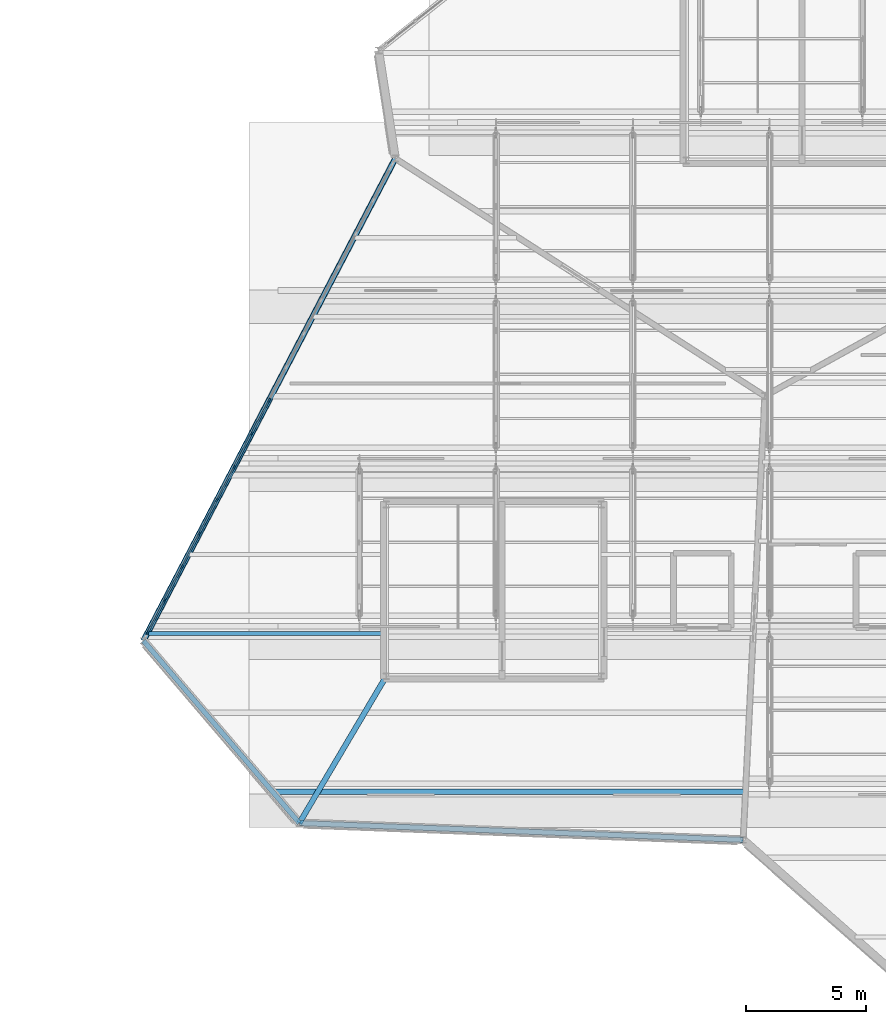
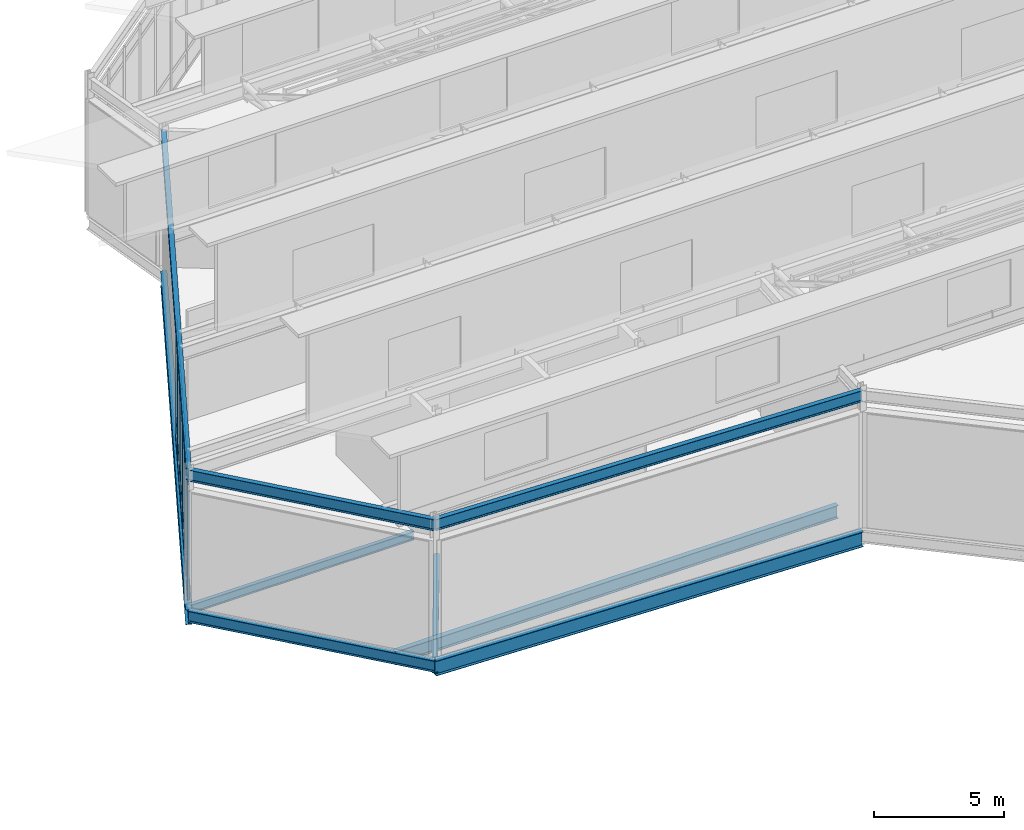
# One storey, part 5 of 55: 36 members, 9 beams, 1 element without a shape of its own.
"""IFC4 building model written with IfcOpenShell, lengths in metres."""

from ifc_helpers import new_model, si_unit, direction, frame, origin, origin_2d, place, context, subcontext, project, spatial, rectangle, i_section, extrude, material, material_profile, profile_set, type_object, element, aggregate, save


model = new_model("IFC4")

# Units and contexts
model_context = context("Model", 3, precision=1e-05, world=origin(), true_north=direction((0.0, 1.0)))
body_context = subcontext(model_context, "Body", "Model", "MODEL_VIEW")
ifc_project = project(units=[si_unit("LENGTHUNIT", "METRE"), si_unit("AREAUNIT", "SQUARE_METRE"), si_unit("VOLUMEUNIT", "CUBIC_METRE"), si_unit("PLANEANGLEUNIT", "RADIAN"), si_unit("MASSUNIT", "GRAM", prefix="KILO")], contexts=[model_context])

# Site, building, storey
site_placement = place(None, origin())
site = spatial("IfcSite", under=ifc_project, at=site_placement, CompositionType="ELEMENT")
building_placement = place(site_placement, origin())
building = spatial("IfcBuilding", under=site, at=building_placement, Name="Tameran Prism Museum", CompositionType="ELEMENT")
storey_placement = place(building_placement, frame((0.0, 0.0, 28.800048828125)))
storey = spatial("IfcBuildingStorey", under=building, at=storey_placement, Name="L05", CompositionType="ELEMENT", Elevation=28.800048828125)

# Beams
ifc_material_1 = material(Name="Steel Grade 300PLUS (300 MPa)", Category="steel")
ifc_material_profile_1 = material_profile(ifc_material_1, i_section(OverallWidth=0.177978515625, OverallDepth=0.403076171875, WebThickness=0.007568359375, FlangeThickness=0.010986328125, FilletRadius=0.011474609375, at=origin_2d()))
ifc_profile_set_1 = profile_set([ifc_material_profile_1])
beam_type_1 = type_object("IfcBeamType", Name="BM-J410B", PredefinedType="JOIST", material=ifc_profile_set_1)
beam_1_placement = place(storey_placement, frame((93.10205078125, 79.199951171875, -0.441650390625), z_axis=(1.0, 0.0, 0.0), x_axis=(0.0, 1.0, 0.0)))
element("IfcBeam", 1, at=beam_1_placement, inside=storey, type_object=beam_type_1, Name="Floor Beam BM-1285", PredefinedType="JOIST", context=body_context, shape_type="SweptSolid", body=[
    extrude(i_section(OverallWidth=0.177978515625, OverallDepth=0.403076171875, WebThickness=0.007568359375, FlangeThickness=0.010986328125, FilletRadius=0.011474609375, at=origin_2d()), origin(), (0.0, 0.0, 1.0), 9.91796875),
])
ifc_material_2 = material(Name="Steel Grade 300PLUS (300 MPa)", Category="steel")
ifc_material_profile_2 = material_profile(ifc_material_2, i_section(OverallWidth=0.208984375, OverallDepth=0.532958984375, WebThickness=0.01025390625, FlangeThickness=0.015625, FilletRadius=0.013916015625, at=origin_2d()))
ifc_profile_set_2 = profile_set([ifc_material_profile_2])
beam_type_2 = type_object("IfcBeamType", Name="BM-SP530A", PredefinedType="SPANDREL", material=ifc_profile_set_2)
beam_2_placement = place(storey_placement, frame((92.89990234375, 78.89990234375, -0.506591796875), z_axis=(0.649974737731, -0.75995581471, 0.0), x_axis=(0.75995581471, 0.649974737731, 0.0)))
element("IfcBeam", 2, at=beam_2_placement, inside=storey, type_object=beam_type_2, Name="Perimeter Spandrel SP-1245", PredefinedType="SPANDREL", context=body_context, shape_type="SweptSolid", body=[
    extrude(i_section(OverallWidth=0.208984375, OverallDepth=0.532958984375, WebThickness=0.01025390625, FlangeThickness=0.015625, FilletRadius=0.013916015625, at=origin_2d()), origin(), (0.0, 0.0, 1.0), 10.00048828125),
])
ifc_material_3 = material(Name="Steel Grade 300PLUS (300 MPa)", Category="steel")
ifc_material_profile_3 = material_profile(ifc_material_3, i_section(OverallWidth=0.208984375, OverallDepth=0.528076171875, WebThickness=0.009521484375, FlangeThickness=0.01318359375, FilletRadius=0.013916015625, at=origin_2d()))
ifc_profile_set_3 = profile_set([ifc_material_profile_3])
beam_type_3 = type_object("IfcBeamType", Name="BM-SP530B", PredefinedType="SPANDREL", material=ifc_profile_set_3)
beam_3_placement = place(storey_placement, frame((99.39990234375, 71.300048828125, 6.10595703125), z_axis=(0.999285016412, -0.037808146934, 0.0), x_axis=(0.037808146934, 0.999285016412, 0.0)))
element("IfcBeam", 3, at=beam_3_placement, inside=storey, type_object=beam_type_3, Name="Roof Ring Beam RB-1246", PredefinedType="SPANDREL", context=body_context, shape_type="SweptSolid", body=[
    extrude(i_section(OverallWidth=0.208984375, OverallDepth=0.528076171875, WebThickness=0.009521484375, FlangeThickness=0.01318359375, FilletRadius=0.013916015625, at=origin_2d()), origin(), (0.0, 0.0, 1.0), 18.51318359375),
])
beam_4_placement = place(storey_placement, frame((103.39990234375, 99.0, 6.10595703125), z_axis=(-0.463016287734, -0.886349771418, 0.0), x_axis=(0.886349771418, -0.463016287734, 0.0)))
element("IfcBeam", 4, at=beam_4_placement, inside=storey, type_object=beam_type_3, Name="Roof Ring Beam RB-1249", PredefinedType="SPANDREL", context=body_context, shape_type="SweptSolid", body=[
    extrude(i_section(OverallWidth=0.208984375, OverallDepth=0.528076171875, WebThickness=0.009521484375, FlangeThickness=0.01318359375, FilletRadius=0.013916015625, at=origin_2d()), origin(), (0.0, 0.0, 1.0), 22.677490234375),
])
beam_5_placement = place(storey_placement, frame((92.89990234375, 78.89990234375, 6.10595703125), z_axis=(0.649974737731, -0.75995581471, 0.0), x_axis=(0.75995581471, 0.649974737731, 0.0)))
element("IfcBeam", 5, at=beam_5_placement, inside=storey, type_object=beam_type_3, Name="Roof Ring Beam RB-1250", PredefinedType="SPANDREL", context=body_context, shape_type="SweptSolid", body=[
    extrude(i_section(OverallWidth=0.208984375, OverallDepth=0.528076171875, WebThickness=0.009521484375, FlangeThickness=0.01318359375, FilletRadius=0.013916015625, at=origin_2d()), origin(), (0.0, 0.0, 1.0), 10.00048828125),
])
ifc_material_4 = material(Name="Steel Grade 350 (350 MPa)", Category="steel")
ifc_material_profile_4 = material_profile(ifc_material_4, i_section(OverallWidth=0.25, OverallDepth=0.699951171875, WebThickness=0.010009765625, FlangeThickness=0.02001953125, at=origin_2d()))
ifc_profile_set_4 = profile_set([ifc_material_profile_4])
beam_type_4 = type_object("IfcBeamType", Name="BM-SP700", PredefinedType="SPANDREL", material=ifc_profile_set_4)
beam_6_placement = place(storey_placement, frame((99.39990234375, 71.300048828125, -0.590087890625), z_axis=(0.999285016412, -0.037808146934, 0.0), x_axis=(0.037808146934, 0.999285016412, 0.0)))
element("IfcBeam", 6, at=beam_6_placement, inside=storey, type_object=beam_type_4, Name="Perimeter Spandrel SP-1241", PredefinedType="SPANDREL", context=body_context, shape_type="SweptSolid", body=[
    extrude(i_section(OverallWidth=0.25, OverallDepth=0.699951171875, WebThickness=0.010009765625, FlangeThickness=0.02001953125, at=origin_2d()), origin(), (0.0, 0.0, 1.0), 18.51318359375),
])
beam_7_placement = place(storey_placement, frame((103.39990234375, 99.0, -0.590087890625), z_axis=(-0.463016287734, -0.886349771418, 0.0), x_axis=(0.886349771418, -0.463016287734, 0.0)))
element("IfcBeam", 7, at=beam_7_placement, inside=storey, type_object=beam_type_4, Name="Perimeter Spandrel SP-1244", PredefinedType="SPANDREL", context=body_context, shape_type="SweptSolid", body=[
    extrude(i_section(OverallWidth=0.25, OverallDepth=0.699951171875, WebThickness=0.010009765625, FlangeThickness=0.02001953125, at=origin_2d()), origin(), (0.0, 0.0, 1.0), 22.677490234375),
])
ifc_material_5 = material(Name="Steel Grade 300PLUS (300 MPa)", Category="steel")
ifc_material_profile_5 = material_profile(ifc_material_5, i_section(OverallWidth=0.22900390625, OverallDepth=0.612060546875, WebThickness=0.011962890625, FlangeThickness=0.01953125, FilletRadius=0.013916015625, at=origin_2d()))
ifc_profile_set_5 = profile_set([ifc_material_profile_5])
beam_type_5 = type_object("IfcBeamType", Name="BM-UB610A", PredefinedType="BEAM", material=ifc_profile_set_5)
beam_8_placement = place(storey_placement, frame((103.02001953125, 77.419921875, -0.56005859375), z_axis=(-0.50912834972, -0.860690608472, 0.0), x_axis=(0.860690608472, -0.50912834972, 0.0)))
element("IfcBeam", 8, at=beam_8_placement, inside=storey, type_object=beam_type_5, Name="Frame Tie Girder FG-1386", PredefinedType="BEAM", context=body_context, shape_type="SweptSolid", body=[
    extrude(i_section(OverallWidth=0.22900390625, OverallDepth=0.612060546875, WebThickness=0.011962890625, FlangeThickness=0.01953125, FilletRadius=0.013916015625, at=origin_2d()), origin(), (0.0, 0.0, 1.0), 7.1103515625),
])
ifc_material_6 = material(Name="Steel Grade 300PLUS (300 MPa)", Category="steel")
ifc_material_profile_6 = material_profile(ifc_material_6, i_section(OverallWidth=0.22802734375, OverallDepth=0.60693359375, WebThickness=0.01123046875, FlangeThickness=0.017333984375, FilletRadius=0.013916015625, at=origin_2d()))
ifc_profile_set_6 = profile_set([ifc_material_profile_6])
beam_type_6 = type_object("IfcBeamType", Name="BM-UB610B", PredefinedType="BEAM", material=ifc_profile_set_6)
beam_9_placement = place(storey_placement, frame((98.341064453125, 72.60009765625, -0.54345703125), z_axis=(1.0, 0.0, 0.0), x_axis=(0.0, 1.0, 0.0)))
element("IfcBeam", 9, at=beam_9_placement, inside=storey, type_object=beam_type_6, Name="Floor Beam BM-1283", PredefinedType="BEAM", context=body_context, shape_type="SweptSolid", body=[
    extrude(i_section(OverallWidth=0.22802734375, OverallDepth=0.60693359375, WebThickness=0.01123046875, FlangeThickness=0.017333984375, FilletRadius=0.013916015625, at=origin_2d()), origin(), (0.0, 0.0, 1.0), 19.615966796875),
])

# Curtain wall, members
ifc_material_7 = material(Name="Anodised Aluminium 6063-T6 and Cyclone Solar Glass", Category="aluminium")
curtain_wall_type = type_object("IfcCurtainWallType", Name="CW-FAC-2192x542", PredefinedType="USERDEFINED", material=ifc_material_7)
curtain_wall_placement = place(storey_placement, origin())
curtain_wall = element("IfcCurtainWall", 10, at=curtain_wall_placement, inside=storey, type_object=curtain_wall_type, Name="Unitised Curtain Wall CW-164", ObjectType="UNITISED CURTAIN WALL", PredefinedType="USERDEFINED")
ifc_material_8 = material(Name="Anodised Aluminium Alloy 6063-T6", Category="aluminium")
ifc_material_profile_7 = material_profile(ifc_material_8, rectangle(XDim=0.070068359375, YDim=0.179931640625, at=origin_2d()))
ifc_profile_set_7 = profile_set([ifc_material_profile_7])
member_type_1 = type_object("IfcMemberType", Name="CW-MUL-B", PredefinedType="MULLION", material=ifc_profile_set_7)
member_1_placement = place(storey_placement, frame((93.078125, 79.240966796875, 0.0), z_axis=(0.0, 0.0, 1.0), x_axis=(-0.886356952612, 0.463002540551, 0.0)))
member_1 = element("IfcMember", 11, at=member_1_placement, type_object=member_type_1, Name="CW-164 mullion 1", PredefinedType="MULLION", context=body_context, shape_type="SweptSolid", body=[
    extrude(rectangle(XDim=0.070068359375, YDim=0.179931640625, at=origin_2d()), origin(), (0.0, 0.0, 1.0), 5.419921875),
])
member_2_placement = place(storey_placement, frame((93.786865234375, 80.59765625, 0.0), z_axis=(0.0, 0.0, 1.0), x_axis=(-0.886356952612, 0.463002540551, 0.0)))
member_2 = element("IfcMember", 12, at=member_2_placement, type_object=member_type_1, Name="CW-164 mullion 2", PredefinedType="MULLION", context=body_context, shape_type="SweptSolid", body=[
    extrude(rectangle(XDim=0.070068359375, YDim=0.179931640625, at=origin_2d()), origin(), (0.0, 0.0, 1.0), 5.419921875),
])
member_3_placement = place(storey_placement, frame((94.51171875, 81.9853515625, 0.0), z_axis=(0.0, 0.0, 1.0), x_axis=(-0.886356952612, 0.463002540551, 0.0)))
member_3 = element("IfcMember", 13, at=member_3_placement, type_object=member_type_1, Name="CW-164 mullion 3", PredefinedType="MULLION", context=body_context, shape_type="SweptSolid", body=[
    extrude(rectangle(XDim=0.070068359375, YDim=0.179931640625, at=origin_2d()), origin(), (0.0, 0.0, 1.0), 5.419921875),
])
member_4_placement = place(storey_placement, frame((95.236572265625, 83.373046875, 0.0), z_axis=(0.0, 0.0, 1.0), x_axis=(-0.886356952612, 0.463002540551, 0.0)))
member_4 = element("IfcMember", 14, at=member_4_placement, type_object=member_type_1, Name="CW-164 mullion 4", PredefinedType="MULLION", context=body_context, shape_type="SweptSolid", body=[
    extrude(rectangle(XDim=0.070068359375, YDim=0.179931640625, at=origin_2d()), origin(), (0.0, 0.0, 1.0), 5.419921875),
])
member_5_placement = place(storey_placement, frame((95.96142578125, 84.760498046875, 0.0), z_axis=(0.0, 0.0, 1.0), x_axis=(-0.886356952612, 0.463002540551, 0.0)))
member_5 = element("IfcMember", 15, at=member_5_placement, type_object=member_type_1, Name="CW-164 mullion 5", PredefinedType="MULLION", context=body_context, shape_type="SweptSolid", body=[
    extrude(rectangle(XDim=0.070068359375, YDim=0.179931640625, at=origin_2d()), origin(), (0.0, 0.0, 1.0), 5.419921875),
])
member_6_placement = place(storey_placement, frame((96.686279296875, 86.148193359375, 0.0), z_axis=(0.0, 0.0, 1.0), x_axis=(-0.886356952612, 0.463002540551, 0.0)))
member_6 = element("IfcMember", 16, at=member_6_placement, type_object=member_type_1, Name="CW-164 mullion 6", PredefinedType="MULLION", context=body_context, shape_type="SweptSolid", body=[
    extrude(rectangle(XDim=0.070068359375, YDim=0.179931640625, at=origin_2d()), origin(), (0.0, 0.0, 1.0), 5.419921875),
])
member_7_placement = place(storey_placement, frame((97.4111328125, 87.535888671875, 0.0), z_axis=(0.0, 0.0, 1.0), x_axis=(-0.886356952612, 0.463002540551, 0.0)))
member_7 = element("IfcMember", 17, at=member_7_placement, type_object=member_type_1, Name="CW-164 mullion 7", PredefinedType="MULLION", context=body_context, shape_type="SweptSolid", body=[
    extrude(rectangle(XDim=0.070068359375, YDim=0.179931640625, at=origin_2d()), origin(), (0.0, 0.0, 1.0), 5.419921875),
])
member_8_placement = place(storey_placement, frame((98.135986328125, 88.923583984375, 0.0), z_axis=(0.0, 0.0, 1.0), x_axis=(-0.886356952612, 0.463002540551, 0.0)))
member_8 = element("IfcMember", 18, at=member_8_placement, type_object=member_type_1, Name="CW-164 mullion 8", PredefinedType="MULLION", context=body_context, shape_type="SweptSolid", body=[
    extrude(rectangle(XDim=0.070068359375, YDim=0.179931640625, at=origin_2d()), origin(), (0.0, 0.0, 1.0), 5.419921875),
])
ifc_material_9 = material(Name="Anodised Aluminium Alloy 6063-T6", Category="aluminium")
ifc_material_profile_8 = material_profile(ifc_material_9, rectangle(XDim=0.070068359375, YDim=0.155029296875, at=origin_2d()))
ifc_profile_set_8 = profile_set([ifc_material_profile_8])
member_type_2 = type_object("IfcMemberType", Name="CW-TRN-B", PredefinedType="USERDEFINED", material=ifc_profile_set_8)
member_9_placement = place(storey_placement, frame((93.094482421875, 79.27197265625, 0.034912109375), z_axis=(0.462988656871, 0.886364204833, 0.0), x_axis=(-0.886364204833, 0.462988656871, 0.0)))
member_9 = element("IfcMember", 19, at=member_9_placement, type_object=member_type_2, Name="CW-164 transom 1.1", ObjectType="TRANSOM", PredefinedType="USERDEFINED", context=body_context, shape_type="SweptSolid", body=[
    extrude(rectangle(XDim=0.070068359375, YDim=0.155029296875, at=origin_2d()), origin(), (0.0, 0.0, 1.0), 1.460693359375),
])
member_10_placement = place(storey_placement, frame((93.094482421875, 79.27197265625, 1.0), z_axis=(0.462988656871, 0.886364204833, 0.0), x_axis=(-0.886364204833, 0.462988656871, 0.0)))
member_10 = element("IfcMember", 20, at=member_10_placement, type_object=member_type_2, Name="CW-164 transom 1.2", ObjectType="TRANSOM", PredefinedType="USERDEFINED", context=body_context, shape_type="SweptSolid", body=[
    extrude(rectangle(XDim=0.070068359375, YDim=0.155029296875, at=origin_2d()), origin(), (0.0, 0.0, 1.0), 1.460693359375),
])
member_11_placement = place(storey_placement, frame((93.094482421875, 79.27197265625, 4.739990234375), z_axis=(0.462988656871, 0.886364204833, 0.0), x_axis=(-0.886364204833, 0.462988656871, 0.0)))
member_11 = element("IfcMember", 21, at=member_11_placement, type_object=member_type_2, Name="CW-164 transom 1.3", ObjectType="TRANSOM", PredefinedType="USERDEFINED", context=body_context, shape_type="SweptSolid", body=[
    extrude(rectangle(XDim=0.070068359375, YDim=0.155029296875, at=origin_2d()), origin(), (0.0, 0.0, 1.0), 1.460693359375),
])
member_12_placement = place(storey_placement, frame((93.094482421875, 79.27197265625, 5.385009765625), z_axis=(0.462988656871, 0.886364204833, 0.0), x_axis=(-0.886364204833, 0.462988656871, 0.0)))
member_12 = element("IfcMember", 22, at=member_12_placement, type_object=member_type_2, Name="CW-164 transom 1.4", ObjectType="TRANSOM", PredefinedType="USERDEFINED", context=body_context, shape_type="SweptSolid", body=[
    extrude(rectangle(XDim=0.070068359375, YDim=0.155029296875, at=origin_2d()), origin(), (0.0, 0.0, 1.0), 1.460693359375),
])
member_13_placement = place(storey_placement, frame((93.802978515625, 80.628662109375, 0.034912109375), z_axis=(0.463073557988, 0.886319851912, 0.0), x_axis=(-0.886319851912, 0.463073557988, 0.0)))
member_13 = element("IfcMember", 23, at=member_13_placement, type_object=member_type_2, Name="CW-164 transom 2.1", ObjectType="TRANSOM", PredefinedType="USERDEFINED", context=body_context, shape_type="SweptSolid", body=[
    extrude(rectangle(XDim=0.070068359375, YDim=0.155029296875, at=origin_2d()), origin(), (0.0, 0.0, 1.0), 1.49560546875),
])
member_14_placement = place(storey_placement, frame((93.802978515625, 80.628662109375, 1.0), z_axis=(0.463073557988, 0.886319851912, 0.0), x_axis=(-0.886319851912, 0.463073557988, 0.0)))
member_14 = element("IfcMember", 24, at=member_14_placement, type_object=member_type_2, Name="CW-164 transom 2.2", ObjectType="TRANSOM", PredefinedType="USERDEFINED", context=body_context, shape_type="SweptSolid", body=[
    extrude(rectangle(XDim=0.070068359375, YDim=0.155029296875, at=origin_2d()), origin(), (0.0, 0.0, 1.0), 1.49560546875),
])
member_15_placement = place(storey_placement, frame((93.802978515625, 80.628662109375, 4.739990234375), z_axis=(0.463073557988, 0.886319851912, 0.0), x_axis=(-0.886319851912, 0.463073557988, 0.0)))
member_15 = element("IfcMember", 25, at=member_15_placement, type_object=member_type_2, Name="CW-164 transom 2.3", ObjectType="TRANSOM", PredefinedType="USERDEFINED", context=body_context, shape_type="SweptSolid", body=[
    extrude(rectangle(XDim=0.070068359375, YDim=0.155029296875, at=origin_2d()), origin(), (0.0, 0.0, 1.0), 1.49560546875),
])
member_16_placement = place(storey_placement, frame((93.802978515625, 80.628662109375, 5.385009765625), z_axis=(0.463073557988, 0.886319851912, 0.0), x_axis=(-0.886319851912, 0.463073557988, 0.0)))
member_16 = element("IfcMember", 26, at=member_16_placement, type_object=member_type_2, Name="CW-164 transom 2.4", ObjectType="TRANSOM", PredefinedType="USERDEFINED", context=body_context, shape_type="SweptSolid", body=[
    extrude(rectangle(XDim=0.070068359375, YDim=0.155029296875, at=origin_2d()), origin(), (0.0, 0.0, 1.0), 1.49560546875),
])
member_17_placement = place(storey_placement, frame((94.52783203125, 82.016357421875, 0.034912109375), z_axis=(0.463140559617, 0.886284842496, 0.0), x_axis=(-0.886284842496, 0.463140559617, 0.0)))
member_17 = element("IfcMember", 27, at=member_17_placement, type_object=member_type_2, Name="CW-164 transom 3.1", ObjectType="TRANSOM", PredefinedType="USERDEFINED", context=body_context, shape_type="SweptSolid", body=[
    extrude(rectangle(XDim=0.070068359375, YDim=0.155029296875, at=origin_2d()), origin(), (0.0, 0.0, 1.0), 1.49560546875),
])
member_18_placement = place(storey_placement, frame((94.52783203125, 82.016357421875, 1.0), z_axis=(0.463140559617, 0.886284842496, 0.0), x_axis=(-0.886284842496, 0.463140559617, 0.0)))
member_18 = element("IfcMember", 28, at=member_18_placement, type_object=member_type_2, Name="CW-164 transom 3.2", ObjectType="TRANSOM", PredefinedType="USERDEFINED", context=body_context, shape_type="SweptSolid", body=[
    extrude(rectangle(XDim=0.070068359375, YDim=0.155029296875, at=origin_2d()), origin(), (0.0, 0.0, 1.0), 1.49560546875),
])
member_19_placement = place(storey_placement, frame((94.52783203125, 82.016357421875, 4.739990234375), z_axis=(0.463140559617, 0.886284842496, 0.0), x_axis=(-0.886284842496, 0.463140559617, 0.0)))
member_19 = element("IfcMember", 29, at=member_19_placement, type_object=member_type_2, Name="CW-164 transom 3.3", ObjectType="TRANSOM", PredefinedType="USERDEFINED", context=body_context, shape_type="SweptSolid", body=[
    extrude(rectangle(XDim=0.070068359375, YDim=0.155029296875, at=origin_2d()), origin(), (0.0, 0.0, 1.0), 1.49560546875),
])
member_20_placement = place(storey_placement, frame((94.52783203125, 82.016357421875, 5.385009765625), z_axis=(0.463140559617, 0.886284842496, 0.0), x_axis=(-0.886284842496, 0.463140559617, 0.0)))
member_20 = element("IfcMember", 30, at=member_20_placement, type_object=member_type_2, Name="CW-164 transom 3.4", ObjectType="TRANSOM", PredefinedType="USERDEFINED", context=body_context, shape_type="SweptSolid", body=[
    extrude(rectangle(XDim=0.070068359375, YDim=0.155029296875, at=origin_2d()), origin(), (0.0, 0.0, 1.0), 1.49560546875),
])
member_21_placement = place(storey_placement, frame((95.252685546875, 83.404052734375, 0.034912109375), z_axis=(0.463140559617, 0.886284842496, 0.0), x_axis=(-0.886284842496, 0.463140559617, 0.0)))
member_21 = element("IfcMember", 31, at=member_21_placement, type_object=member_type_2, Name="CW-164 transom 4.1", ObjectType="TRANSOM", PredefinedType="USERDEFINED", context=body_context, shape_type="SweptSolid", body=[
    extrude(rectangle(XDim=0.070068359375, YDim=0.155029296875, at=origin_2d()), origin(), (0.0, 0.0, 1.0), 1.49560546875),
])
member_22_placement = place(storey_placement, frame((95.252685546875, 83.404052734375, 1.0), z_axis=(0.463140559617, 0.886284842496, 0.0), x_axis=(-0.886284842496, 0.463140559617, 0.0)))
member_22 = element("IfcMember", 32, at=member_22_placement, type_object=member_type_2, Name="CW-164 transom 4.2", ObjectType="TRANSOM", PredefinedType="USERDEFINED", context=body_context, shape_type="SweptSolid", body=[
    extrude(rectangle(XDim=0.070068359375, YDim=0.155029296875, at=origin_2d()), origin(), (0.0, 0.0, 1.0), 1.49560546875),
])
member_23_placement = place(storey_placement, frame((95.252685546875, 83.404052734375, 4.739990234375), z_axis=(0.463140559617, 0.886284842496, 0.0), x_axis=(-0.886284842496, 0.463140559617, 0.0)))
member_23 = element("IfcMember", 33, at=member_23_placement, type_object=member_type_2, Name="CW-164 transom 4.3", ObjectType="TRANSOM", PredefinedType="USERDEFINED", context=body_context, shape_type="SweptSolid", body=[
    extrude(rectangle(XDim=0.070068359375, YDim=0.155029296875, at=origin_2d()), origin(), (0.0, 0.0, 1.0), 1.49560546875),
])
member_24_placement = place(storey_placement, frame((95.252685546875, 83.404052734375, 5.385009765625), z_axis=(0.463140559617, 0.886284842496, 0.0), x_axis=(-0.886284842496, 0.463140559617, 0.0)))
member_24 = element("IfcMember", 34, at=member_24_placement, type_object=member_type_2, Name="CW-164 transom 4.4", ObjectType="TRANSOM", PredefinedType="USERDEFINED", context=body_context, shape_type="SweptSolid", body=[
    extrude(rectangle(XDim=0.070068359375, YDim=0.155029296875, at=origin_2d()), origin(), (0.0, 0.0, 1.0), 1.49560546875),
])
member_25_placement = place(storey_placement, frame((95.9775390625, 84.79150390625, 0.034912109375), z_axis=(0.463073557988, 0.886319851912, 0.0), x_axis=(-0.886319851912, 0.463073557988, 0.0)))
member_25 = element("IfcMember", 35, at=member_25_placement, type_object=member_type_2, Name="CW-164 transom 5.1", ObjectType="TRANSOM", PredefinedType="USERDEFINED", context=body_context, shape_type="SweptSolid", body=[
    extrude(rectangle(XDim=0.070068359375, YDim=0.155029296875, at=origin_2d()), origin(), (0.0, 0.0, 1.0), 1.49560546875),
])
member_26_placement = place(storey_placement, frame((95.9775390625, 84.79150390625, 1.0), z_axis=(0.463073557988, 0.886319851912, 0.0), x_axis=(-0.886319851912, 0.463073557988, 0.0)))
member_26 = element("IfcMember", 36, at=member_26_placement, type_object=member_type_2, Name="CW-164 transom 5.2", ObjectType="TRANSOM", PredefinedType="USERDEFINED", context=body_context, shape_type="SweptSolid", body=[
    extrude(rectangle(XDim=0.070068359375, YDim=0.155029296875, at=origin_2d()), origin(), (0.0, 0.0, 1.0), 1.49560546875),
])
member_27_placement = place(storey_placement, frame((95.9775390625, 84.79150390625, 4.739990234375), z_axis=(0.463073557988, 0.886319851912, 0.0), x_axis=(-0.886319851912, 0.463073557988, 0.0)))
member_27 = element("IfcMember", 37, at=member_27_placement, type_object=member_type_2, Name="CW-164 transom 5.3", ObjectType="TRANSOM", PredefinedType="USERDEFINED", context=body_context, shape_type="SweptSolid", body=[
    extrude(rectangle(XDim=0.070068359375, YDim=0.155029296875, at=origin_2d()), origin(), (0.0, 0.0, 1.0), 1.49560546875),
])
member_28_placement = place(storey_placement, frame((95.9775390625, 84.79150390625, 5.385009765625), z_axis=(0.463073557988, 0.886319851912, 0.0), x_axis=(-0.886319851912, 0.463073557988, 0.0)))
member_28 = element("IfcMember", 38, at=member_28_placement, type_object=member_type_2, Name="CW-164 transom 5.4", ObjectType="TRANSOM", PredefinedType="USERDEFINED", context=body_context, shape_type="SweptSolid", body=[
    extrude(rectangle(XDim=0.070068359375, YDim=0.155029296875, at=origin_2d()), origin(), (0.0, 0.0, 1.0), 1.49560546875),
])
member_29_placement = place(storey_placement, frame((96.702392578125, 86.17919921875, 0.034912109375), z_axis=(0.463073557988, 0.886319851912, 0.0), x_axis=(-0.886319851912, 0.463073557988, 0.0)))
member_29 = element("IfcMember", 39, at=member_29_placement, type_object=member_type_2, Name="CW-164 transom 6.1", ObjectType="TRANSOM", PredefinedType="USERDEFINED", context=body_context, shape_type="SweptSolid", body=[
    extrude(rectangle(XDim=0.070068359375, YDim=0.155029296875, at=origin_2d()), origin(), (0.0, 0.0, 1.0), 1.49560546875),
])
member_30_placement = place(storey_placement, frame((96.702392578125, 86.17919921875, 1.0), z_axis=(0.463073557988, 0.886319851912, 0.0), x_axis=(-0.886319851912, 0.463073557988, 0.0)))
member_30 = element("IfcMember", 40, at=member_30_placement, type_object=member_type_2, Name="CW-164 transom 6.2", ObjectType="TRANSOM", PredefinedType="USERDEFINED", context=body_context, shape_type="SweptSolid", body=[
    extrude(rectangle(XDim=0.070068359375, YDim=0.155029296875, at=origin_2d()), origin(), (0.0, 0.0, 1.0), 1.49560546875),
])
member_31_placement = place(storey_placement, frame((96.702392578125, 86.17919921875, 4.739990234375), z_axis=(0.463073557988, 0.886319851912, 0.0), x_axis=(-0.886319851912, 0.463073557988, 0.0)))
member_31 = element("IfcMember", 41, at=member_31_placement, type_object=member_type_2, Name="CW-164 transom 6.3", ObjectType="TRANSOM", PredefinedType="USERDEFINED", context=body_context, shape_type="SweptSolid", body=[
    extrude(rectangle(XDim=0.070068359375, YDim=0.155029296875, at=origin_2d()), origin(), (0.0, 0.0, 1.0), 1.49560546875),
])
member_32_placement = place(storey_placement, frame((96.702392578125, 86.17919921875, 5.385009765625), z_axis=(0.463073557988, 0.886319851912, 0.0), x_axis=(-0.886319851912, 0.463073557988, 0.0)))
member_32 = element("IfcMember", 42, at=member_32_placement, type_object=member_type_2, Name="CW-164 transom 6.4", ObjectType="TRANSOM", PredefinedType="USERDEFINED", context=body_context, shape_type="SweptSolid", body=[
    extrude(rectangle(XDim=0.070068359375, YDim=0.155029296875, at=origin_2d()), origin(), (0.0, 0.0, 1.0), 1.49560546875),
])
member_33_placement = place(storey_placement, frame((97.42724609375, 87.56689453125, 0.034912109375), z_axis=(0.463073557988, 0.886319851912, 0.0), x_axis=(-0.886319851912, 0.463073557988, 0.0)))
member_33 = element("IfcMember", 43, at=member_33_placement, type_object=member_type_2, Name="CW-164 transom 7.1", ObjectType="TRANSOM", PredefinedType="USERDEFINED", context=body_context, shape_type="SweptSolid", body=[
    extrude(rectangle(XDim=0.070068359375, YDim=0.155029296875, at=origin_2d()), origin(), (0.0, 0.0, 1.0), 1.49560546875),
])
member_34_placement = place(storey_placement, frame((97.42724609375, 87.56689453125, 1.0), z_axis=(0.463073557988, 0.886319851912, 0.0), x_axis=(-0.886319851912, 0.463073557988, 0.0)))
member_34 = element("IfcMember", 44, at=member_34_placement, type_object=member_type_2, Name="CW-164 transom 7.2", ObjectType="TRANSOM", PredefinedType="USERDEFINED", context=body_context, shape_type="SweptSolid", body=[
    extrude(rectangle(XDim=0.070068359375, YDim=0.155029296875, at=origin_2d()), origin(), (0.0, 0.0, 1.0), 1.49560546875),
])
member_35_placement = place(storey_placement, frame((97.42724609375, 87.56689453125, 4.739990234375), z_axis=(0.463073557988, 0.886319851912, 0.0), x_axis=(-0.886319851912, 0.463073557988, 0.0)))
member_35 = element("IfcMember", 45, at=member_35_placement, type_object=member_type_2, Name="CW-164 transom 7.3", ObjectType="TRANSOM", PredefinedType="USERDEFINED", context=body_context, shape_type="SweptSolid", body=[
    extrude(rectangle(XDim=0.070068359375, YDim=0.155029296875, at=origin_2d()), origin(), (0.0, 0.0, 1.0), 1.49560546875),
])
member_36_placement = place(storey_placement, frame((97.42724609375, 87.56689453125, 5.385009765625), z_axis=(0.463073557988, 0.886319851912, 0.0), x_axis=(-0.886319851912, 0.463073557988, 0.0)))
member_36 = element("IfcMember", 46, at=member_36_placement, type_object=member_type_2, Name="CW-164 transom 7.4", ObjectType="TRANSOM", PredefinedType="USERDEFINED", context=body_context, shape_type="SweptSolid", body=[
    extrude(rectangle(XDim=0.070068359375, YDim=0.155029296875, at=origin_2d()), origin(), (0.0, 0.0, 1.0), 1.49560546875),
])
aggregate(curtain_wall, [member_1, member_2, member_3, member_4, member_5, member_6, member_7, member_8, member_9, member_10, member_11, member_12, member_13, member_14, member_15, member_16, member_17, member_18, member_19, member_20, member_21, member_22, member_23, member_24, member_25, member_26, member_27, member_28, member_29, member_30, member_31, member_32, member_33, member_34, member_35, member_36])

save(model, "model.ifc")
